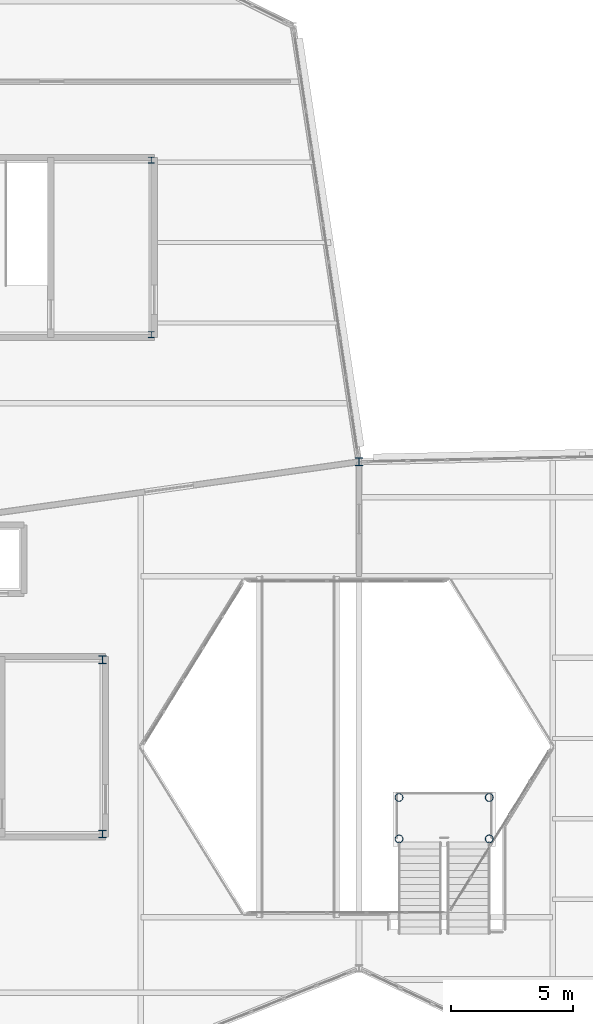
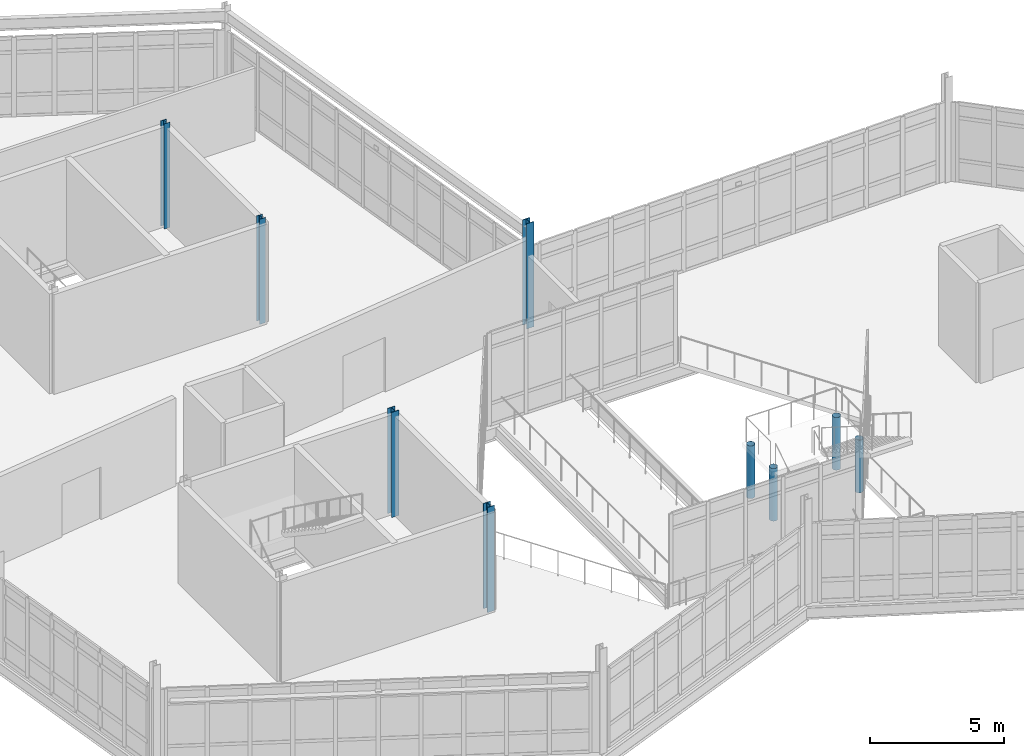
# One storey, part 4 of 76: 9 columns.
"""IFC4 building model written with IfcOpenShell, lengths in metres."""

from ifc_helpers import new_model, si_unit, direction, frame, origin, origin_2d, place, context, subcontext, project, spatial, hollow_circle, i_section, extrude, material, material_profile, profile_set, type_object, element, save


model = new_model("IFC4")

# Units and contexts
model_context = context("Model", 3, precision=1e-05, world=origin(), true_north=direction((0.0, 1.0)))
body_context = subcontext(model_context, "Body", "Model", "MODEL_VIEW")
ifc_project = project(units=[si_unit("LENGTHUNIT", "METRE"), si_unit("AREAUNIT", "SQUARE_METRE"), si_unit("VOLUMEUNIT", "CUBIC_METRE"), si_unit("PLANEANGLEUNIT", "RADIAN"), si_unit("MASSUNIT", "GRAM", prefix="KILO")], contexts=[model_context])

# Site, building, storey
site_placement = place(None, origin())
site = spatial("IfcSite", under=ifc_project, at=site_placement, CompositionType="ELEMENT")
building_placement = place(site_placement, origin())
building = spatial("IfcBuilding", under=site, at=building_placement, Name="Tameran Prism Museum", CompositionType="ELEMENT")
storey_placement = place(building_placement, frame((0.0, 0.0, 15.0)))
storey = spatial("IfcBuildingStorey", under=building, at=storey_placement, Name="L03", CompositionType="ELEMENT", Elevation=15.0)

# Columns
ifc_material_1 = material(Name="Steel Grade C350L0 (350 MPa)", Category="steel")
ifc_material_profile_1 = material_profile(ifc_material_1, hollow_circle(Radius=0.161865234375, WallThickness=0.010009765625, at=origin_2d()))
ifc_profile_set_1 = profile_set([ifc_material_profile_1])
column_type_1 = type_object("IfcColumnType", Name="COL-CHS324", PredefinedType="COLUMN", material=ifc_profile_set_1)
for number, where, z_axis, x_axis, name in (
    (1, (79.14990234375, 32.719970703125, 0.0), (0.0, 0.0, 1.0), (1.0, 0.0, 0.0), "Atrium Stair Support Column CAS-L03-1"),
    (2, (82.85009765625, 32.719970703125, 0.0), (0.0, 0.0, 1.0), (1.0, 0.0, 0.0), "Atrium Stair Support Column CAS-L03-2"),
    (3, (79.14990234375, 34.419921875, 0.0), (0.0, 0.0, 1.0), (1.0, 0.0, 0.0), "Atrium Stair Support Column CAS-L03-3"),
    (4, (82.85009765625, 34.419921875, 0.0), (0.0, 0.0, 1.0), (1.0, 0.0, 0.0), "Atrium Stair Support Column CAS-L03-4"),
):
    element("IfcColumn", number, at=place(storey_placement, frame(where, z_axis=z_axis, x_axis=x_axis)), inside=storey, type_object=column_type_1, Name=name, PredefinedType="COLUMN", context=body_context, shape_type="SweptSolid", body=[
        extrude(hollow_circle(Radius=0.161865234375, WallThickness=0.010009765625, at=origin_2d()), origin(), (0.0, 0.0, 1.0), 2.39990234375),
    ])
ifc_material_2 = material(Name="Steel Grade 300PLUS (300 MPa)", Category="steel")
ifc_material_profile_2 = material_profile(ifc_material_2, i_section(OverallWidth=0.25390625, OverallDepth=0.25390625, WebThickness=0.008544921875, FlangeThickness=0.01416015625, FilletRadius=0.0126953125, at=origin_2d()))
ifc_profile_set_2 = profile_set([ifc_material_profile_2])
column_type_2 = type_object("IfcColumnType", Name="COL-UC250B", PredefinedType="COLUMN", material=ifc_profile_set_2)
for number, where, z_axis, x_axis, name in (
    (5, (68.97998046875, 53.419921875, 0.0), (0.0, 0.0, 1.0), (1.0, 0.0, 0.0), "Column CC-8-2 L03"),
    (6, (68.97998046875, 60.580078125, 0.0), (0.0, 0.0, 1.0), (1.0, 0.0, 0.0), "Column CC-8-3 L03"),
):
    element("IfcColumn", number, at=place(storey_placement, frame(where, z_axis=z_axis, x_axis=x_axis)), inside=storey, type_object=column_type_2, Name=name, PredefinedType="COLUMN", context=body_context, shape_type="SweptSolid", body=[
        extrude(i_section(OverallWidth=0.25390625, OverallDepth=0.25390625, WebThickness=0.008544921875, FlangeThickness=0.01416015625, FilletRadius=0.0126953125, at=origin_2d()), origin(), (0.0, 0.0, 1.0), 4.800048828125),
    ])
ifc_material_3 = material(Name="Steel Grade 350 (350 MPa)", Category="steel")
ifc_material_profile_3 = material_profile(ifc_material_3, i_section(OverallWidth=0.30908203125, OverallDepth=0.321044921875, WebThickness=0.013916015625, FlangeThickness=0.021728515625, FilletRadius=0.0166015625, at=origin_2d()))
ifc_profile_set_3 = profile_set([ifc_material_profile_3])
column_type_3 = type_object("IfcColumnType", Name="COL-UC310B", PredefinedType="COLUMN", material=ifc_profile_set_3)
for number, where, z_axis, x_axis, name in (
    (7, (77.5, 48.199951171875, 0.0), (0.0, 0.0, 1.0), (1.0, 0.0, 0.0), "Column CV-35 L03"),
    (8, (66.97998046875, 32.919921875, 0.0), (0.0, 0.0, 1.0), (1.0, 0.0, 0.0), "Column CC-3-2 L03"),
    (9, (66.97998046875, 40.080078125, 0.0), (0.0, 0.0, 1.0), (1.0, 0.0, 0.0), "Column CC-3-3 L03"),
):
    element("IfcColumn", number, at=place(storey_placement, frame(where, z_axis=z_axis, x_axis=x_axis)), inside=storey, type_object=column_type_3, Name=name, PredefinedType="COLUMN", context=body_context, shape_type="SweptSolid", body=[
        extrude(i_section(OverallWidth=0.30908203125, OverallDepth=0.321044921875, WebThickness=0.013916015625, FlangeThickness=0.021728515625, FilletRadius=0.0166015625, at=origin_2d()), origin(), (0.0, 0.0, 1.0), 4.800048828125),
    ])

save(model, "model.ifc")
